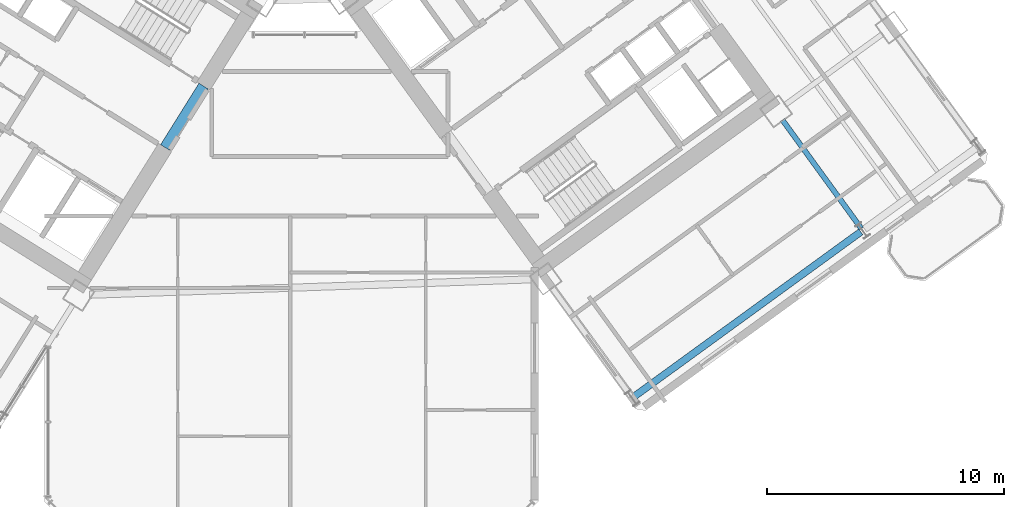
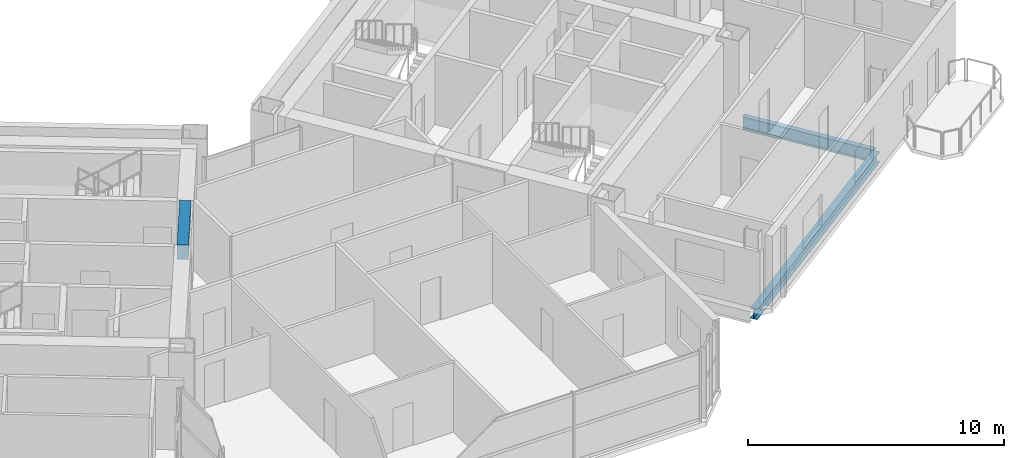
# One storey, part 10 of 24: 3 beams.
"""IFC4 building model written with IfcOpenShell, lengths in metres."""

from ifc_helpers import new_model, si_unit, direction, frame, origin, origin_2d, place, context, subcontext, project, spatial, rectangle, i_section, extrude, source, transform, mapped, material, material_profile, profile_set, type_object, element, save


model = new_model("IFC4")

# Units and contexts
model_context = context("Model", 3, precision=1e-05, world=origin(), true_north=direction((0.0, 1.0)))
body_context = subcontext(model_context, "Body", "Model", "MODEL_VIEW")
ifc_project = project(units=[si_unit("LENGTHUNIT", "METRE"), si_unit("AREAUNIT", "SQUARE_METRE"), si_unit("VOLUMEUNIT", "CUBIC_METRE"), si_unit("PLANEANGLEUNIT", "RADIAN"), si_unit("MASSUNIT", "GRAM", prefix="KILO")], contexts=[model_context])

# Site, building, storey
site_placement = place(None, origin())
site = spatial("IfcSite", under=ifc_project, at=site_placement, CompositionType="ELEMENT")
building_placement = place(site_placement, origin())
building = spatial("IfcBuilding", under=site, at=building_placement, Name="Tlacorven Tower", CompositionType="ELEMENT")
storey_placement = place(building_placement, frame((0.0, 0.0, 45.60009765625)))
storey = spatial("IfcBuildingStorey", under=building, at=storey_placement, Name="L11", CompositionType="ELEMENT", Elevation=45.60009765625)

# Beams
ifc_material_1 = material(Name="Concrete C60/75", Category="concrete")
ifc_material_profile_1 = material_profile(ifc_material_1, rectangle(XDim=0.449951171875, YDim=0.699951171875, at=origin_2d()), Name="RC 450X700")
ifc_profile_set_1 = profile_set([ifc_material_profile_1], Name="Concrete C60/75")
beam_type_1 = type_object("IfcBeamType", Name="BM-LNT-700", PredefinedType="LINTEL", material=ifc_profile_set_1)
shared_shape_1 = source(origin(), body_context, "Body", "SweptSolid", [
    extrude(rectangle(XDim=0.449951171875, YDim=0.699951171875, at=origin_2d()), origin(), (0.0, 0.0, 1.0), 3.050048828125),
])
beam_1_placement = place(storey_placement, frame((38.2998046875, 20.890625, 3.0), z_axis=(-0.529984549635, -0.848007297815, 0.0), x_axis=(0.848007297815, -0.529984549635, 0.0)))
element("IfcBeam", 1, at=beam_1_placement, inside=storey, type_object=beam_type_1, Name="L11 W core coupling lintel beam E1", PredefinedType="LINTEL", context=body_context, shape_type="MappedRepresentation", body=[
    mapped(shared_shape_1, transform((0.0, 0.0, 0.0), scale=1.0)),
])
ifc_material_2 = material(Name="Steel S355J2", Category="steel")
ifc_material_profile_2 = material_profile(ifc_material_2, i_section(OverallWidth=0.219970703125, OverallDepth=0.60009765625, WebThickness=0.011962890625, FlangeThickness=0.01904296875, at=origin_2d()), Name="IPE 600")
ifc_profile_set_2 = profile_set([ifc_material_profile_2], Name="Steel S355J2")
beam_type_2 = type_object("IfcBeamType", Name="BM-TWR-600", PredefinedType="BEAM", material=ifc_profile_set_2)
shared_shape_2 = source(origin(), body_context, "Body", "SweptSolid", [
    extrude(i_section(OverallWidth=0.219970703125, OverallDepth=0.60009765625, WebThickness=0.011962890625, FlangeThickness=0.01904296875, at=origin_2d()), origin(), (0.0, 0.0, 1.0), 5.64990234375),
])
beam_2_placement = place(storey_placement, frame((65.9990234375, 14.891845703125, -0.550048828125), z_axis=(-0.587755393186, 0.809038687444, 0.0), x_axis=(-0.809038687444, -0.587755393186, 0.0)))
element("IfcBeam", 2, at=beam_2_placement, inside=storey, type_object=beam_type_2, Name="L11 beam BM-L11-ET3-1", PredefinedType="BEAM", context=body_context, shape_type="MappedRepresentation", body=[
    mapped(shared_shape_2, transform((0.0, 0.0, 0.0), scale=1.0)),
])
ifc_material_profile_3 = material_profile(ifc_material_2, i_section(OverallWidth=0.300048828125, OverallDepth=0.489990234375, WebThickness=0.011962890625, FlangeThickness=0.02294921875, at=origin_2d()), Name="HEA 500")
ifc_profile_set_3 = profile_set([ifc_material_profile_3], Name="Steel S355J2")
beam_type_3 = type_object("IfcBeamType", Name="BM-SPN-500", PredefinedType="SPANDREL", material=ifc_profile_set_3)
shared_shape_3 = source(origin(), body_context, "Body", "SweptSolid", [
    extrude(i_section(OverallWidth=0.300048828125, OverallDepth=0.489990234375, WebThickness=0.011962890625, FlangeThickness=0.02294921875, at=origin_2d()), origin(), (0.0, 0.0, 1.0), 11.800048828125),
])
beam_3_placement = place(storey_placement, frame((56.4306640625, 7.816162109375, -0.4951171875), z_axis=(0.80900977213, 0.587795192732, 0.0), x_axis=(-0.587795192732, 0.80900977213, 0.0)))
element("IfcBeam", 3, at=beam_3_placement, inside=storey, type_object=beam_type_3, Name="L11 beam BM-L11-EL1-1", PredefinedType="SPANDREL", context=body_context, shape_type="MappedRepresentation", body=[
    mapped(shared_shape_3, transform((0.0, 0.0, 0.0), scale=1.0)),
])

save(model, "model.ifc")
